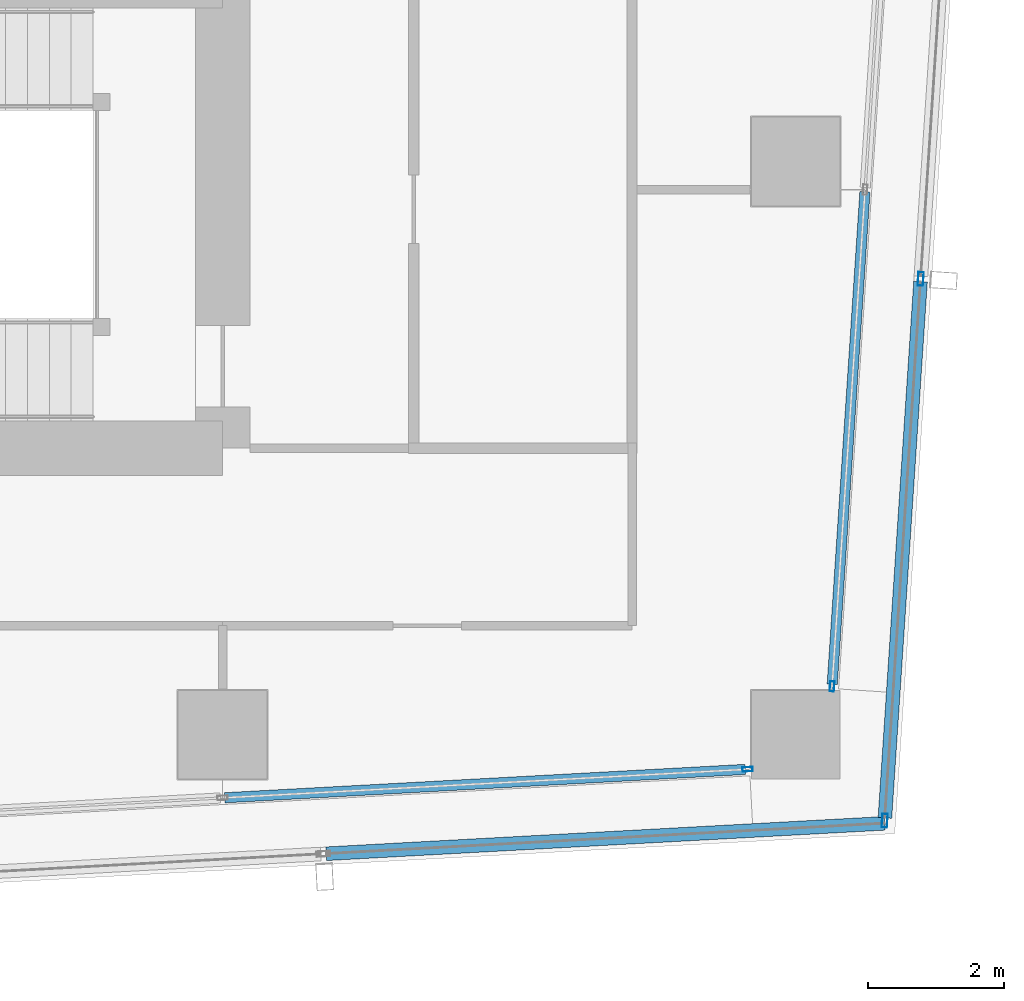
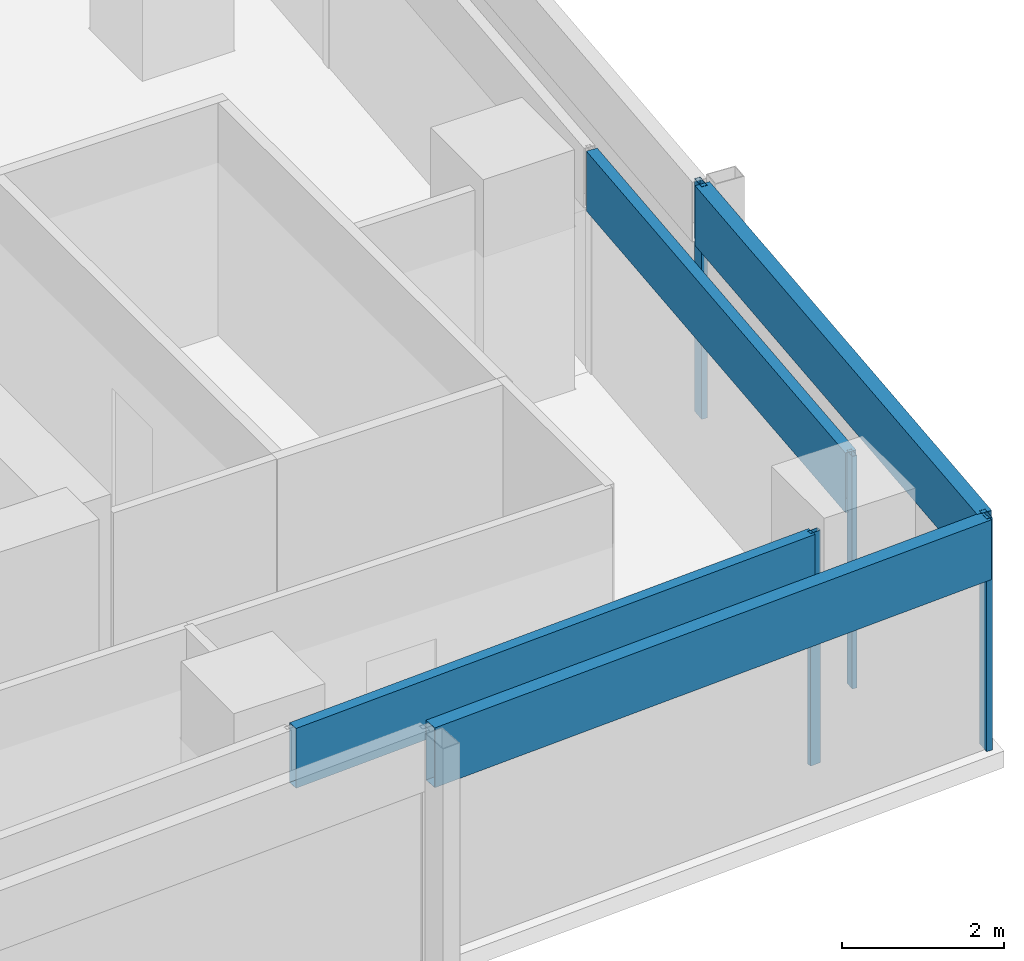
# One storey, part 11 of 29: 8 members, 4 elements without a shape of their own.
"""IFC4 building model written with IfcOpenShell, lengths in metres."""

from ifc_helpers import new_model, si_unit, direction, frame, origin, origin_2d, place, context, subcontext, project, spatial, hollow_rectangle, extrude, material, material_profile, profile_set, type_object, element, aggregate, save


model = new_model("IFC4")

# Units and contexts
model_context = context("Model", 3, precision=1e-05, world=origin(), true_north=direction((0.0, 1.0)))
body_context = subcontext(model_context, "Body", "Model", "MODEL_VIEW")
ifc_project = project(units=[si_unit("LENGTHUNIT", "METRE"), si_unit("AREAUNIT", "SQUARE_METRE"), si_unit("VOLUMEUNIT", "CUBIC_METRE"), si_unit("PLANEANGLEUNIT", "RADIAN"), si_unit("MASSUNIT", "GRAM", prefix="KILO")], contexts=[model_context])

# Site, building, storey
site_placement = place(None, origin())
site = spatial("IfcSite", under=ifc_project, at=site_placement, CompositionType="ELEMENT")
building_placement = place(site_placement, origin())
building = spatial("IfcBuilding", under=site, at=building_placement, Name="Rekha Terrace Tower", CompositionType="ELEMENT")
storey_placement = place(building_placement, frame((0.0, 0.0, 257.60009765625)))
storey = spatial("IfcBuildingStorey", under=building, at=storey_placement, Name="L65", CompositionType="ELEMENT", Elevation=257.60009765625)

# Curtain wall, member
ifc_material_1 = material(Name="Aluminium framing", Category="aluminium")
curtain_wall_type_1 = type_object("IfcCurtainWallType", Name="CW1 double skin inner glazing", PredefinedType="USERDEFINED", material=ifc_material_1)
curtain_wall_1_placement = place(storey_placement, origin())
curtain_wall_1 = element("IfcCurtainWall", 1, at=curtain_wall_1_placement, inside=storey, type_object=curtain_wall_type_1, Name="CW1 double skin inner glazing", ObjectType="DOUBLE SKIN INNER GLAZING", PredefinedType="USERDEFINED")
ifc_material_2 = material(Name="Aluminium mullion section", Category="aluminium")
ifc_material_profile_1 = material_profile(ifc_material_2, hollow_rectangle(XDim=0.06494140625, YDim=0.14990234375, WallThickness=0.00390625, at=origin_2d()), Name="AL RHS 65x150")
ifc_profile_set_1 = profile_set([ifc_material_profile_1], Name="Aluminium mullion section")
member_type_1 = type_object("IfcMemberType", Name="CW1 mullion RHS 65 x 150", PredefinedType="MULLION", material=ifc_profile_set_1)
member_1_placement = place(storey_placement, frame((58.092529296875, 16.2939453125, 0.0), z_axis=(0.0, 0.0, 1.0), x_axis=(-0.054388903036, 0.998519828159, 0.0)))
member_1 = element("IfcMember", 2, at=member_1_placement, type_object=member_type_1, Name="CW1 mullion 5", PredefinedType="MULLION", context=body_context, shape_type="SweptSolid", body=[
    extrude(hollow_rectangle(XDim=0.06494140625, YDim=0.14990234375, WallThickness=0.00390625, at=origin_2d()), origin(), (0.0, 0.0, 1.0), 3.5),
])

curtain_wall_2_placement = place(storey_placement, origin())
curtain_wall_2 = element("IfcCurtainWall", 3, at=curtain_wall_2_placement, inside=storey, type_object=curtain_wall_type_1, Name="CW1 double skin inner glazing", ObjectType="DOUBLE SKIN INNER GLAZING", PredefinedType="USERDEFINED")
member_2_placement = place(storey_placement, frame((59.3310546875, 17.5087890625, 0.0), z_axis=(0.0, 0.0, 1.0), x_axis=(-0.997801621769, 0.066271589649, 0.0)))
member_2 = element("IfcMember", 4, at=member_2_placement, type_object=member_type_1, Name="CW1 mullion 1", PredefinedType="MULLION", context=body_context, shape_type="SweptSolid", body=[
    extrude(hollow_rectangle(XDim=0.06494140625, YDim=0.14990234375, WallThickness=0.00390625, at=origin_2d()), origin(), (0.0, 0.0, 1.0), 3.5),
])

# Member
ifc_material_3 = material(Name="Insulated aluminium spandrel box", Category="aluminium")
ifc_material_profile_2 = material_profile(ifc_material_3, hollow_rectangle(XDim=0.14990234375, YDim=0.89990234375, WallThickness=0.0029296875, at=origin_2d()), Name="AL SPANDREL BOX 150x900")
ifc_profile_set_2 = profile_set([ifc_material_profile_2], Name="Insulated aluminium spandrel box")
member_type_2 = type_object("IfcMemberType", Name="CW1 spandrel transom 150 x 900", PredefinedType="USERDEFINED", material=ifc_profile_set_2)
member_3_placement = place(storey_placement, frame((50.431640625, 15.876708984375, 3.0498046875), z_axis=(0.998519749799, 0.054390341617, 0.0), x_axis=(-0.054390341617, 0.998519749799, 0.0)))
member_3 = element("IfcMember", 5, at=member_3_placement, type_object=member_type_2, Name="CW1 spandrel transom 4", ObjectType="TRANSOM", PredefinedType="USERDEFINED", context=body_context, shape_type="SweptSolid", body=[
    extrude(hollow_rectangle(XDim=0.14990234375, YDim=0.89990234375, WallThickness=0.0029296875, at=origin_2d()), origin(), (0.0, 0.0, 1.0), 7.6396484375),
])

aggregate(curtain_wall_1, [member_1, member_3])

member_4_placement = place(storey_placement, frame((59.333251953125, 17.541015625, 3.0498046875), z_axis=(0.066261233081, 0.997802309574, 0.0), x_axis=(-0.997802309574, 0.066261233081, 0.0)))
member_4 = element("IfcMember", 6, at=member_4_placement, type_object=member_type_2, Name="CW1 spandrel transom 1", ObjectType="TRANSOM", PredefinedType="USERDEFINED", context=body_context, shape_type="SweptSolid", body=[
    extrude(hollow_rectangle(XDim=0.14990234375, YDim=0.89990234375, WallThickness=0.0029296875, at=origin_2d()), origin(), (0.0, 0.0, 1.0), 7.22900390625),
])

aggregate(curtain_wall_2, [member_2, member_4])

# Curtain wall, members
curtain_wall_type_2 = type_object("IfcCurtainWallType", Name="CW2 double skin outer glazing", PredefinedType="USERDEFINED", material=ifc_material_1)
curtain_wall_3_placement = place(storey_placement, origin())
curtain_wall_3 = element("IfcCurtainWall", 7, at=curtain_wall_3_placement, inside=storey, type_object=curtain_wall_type_2, Name="CW2 double skin outer glazing", ObjectType="DOUBLE SKIN OUTER GLAZING", PredefinedType="USERDEFINED")
ifc_material_profile_3 = material_profile(ifc_material_2, hollow_rectangle(XDim=0.080078125, YDim=0.199951171875, WallThickness=0.00390625, at=origin_2d()), Name="AL RHS 80x200")
ifc_profile_set_3 = profile_set([ifc_material_profile_3], Name="Aluminium mullion section")
member_type_3 = type_object("IfcMemberType", Name="CW2 mullion RHS 80 x 200", PredefinedType="MULLION", material=ifc_profile_set_3)
member_5_placement = place(storey_placement, frame((60.102294921875, 15.5419921875, 0.0), z_axis=(0.0, 0.0, 1.0), x_axis=(-0.997801621769, 0.066271589649, 0.0)))
member_5 = element("IfcMember", 8, at=member_5_placement, type_object=member_type_3, Name="CW2 mullion 1", PredefinedType="MULLION", context=body_context, shape_type="SweptSolid", body=[
    extrude(hollow_rectangle(XDim=0.080078125, YDim=0.199951171875, WallThickness=0.00390625, at=origin_2d()), origin(), (0.0, 0.0, 1.0), 3.5),
])
member_6_placement = place(storey_placement, frame((60.629638671875, 23.479736328125, 0.0), z_axis=(0.0, 0.0, 1.0), x_axis=(-0.997801621769, 0.066271589649, 0.0)))
member_6 = element("IfcMember", 9, at=member_6_placement, type_object=member_type_3, Name="CW2 mullion 2", PredefinedType="MULLION", context=body_context, shape_type="SweptSolid", body=[
    extrude(hollow_rectangle(XDim=0.080078125, YDim=0.199951171875, WallThickness=0.00390625, at=origin_2d()), origin(), (0.0, 0.0, 1.0), 3.5),
])

# Curtain wall, member
curtain_wall_4_placement = place(storey_placement, origin())
curtain_wall_4 = element("IfcCurtainWall", 10, at=curtain_wall_4_placement, inside=storey, type_object=curtain_wall_type_2, Name="CW2 double skin outer glazing", ObjectType="DOUBLE SKIN OUTER GLAZING", PredefinedType="USERDEFINED")
ifc_material_profile_4 = material_profile(ifc_material_3, hollow_rectangle(XDim=0.199951171875, YDim=0.89990234375, WallThickness=0.0029296875, at=origin_2d()), Name="AL SPANDREL BOX 200x900")
ifc_profile_set_4 = profile_set([ifc_material_profile_4], Name="Insulated aluminium spandrel box")
member_type_4 = type_object("IfcMemberType", Name="CW2 spandrel transom 200 x 900", PredefinedType="USERDEFINED", material=ifc_profile_set_4)
member_7_placement = place(storey_placement, frame((51.91650390625, 15.056396484375, 3.0498046875), z_axis=(0.998521064062, 0.054366208476, 0.0), x_axis=(-0.054366208476, 0.998521064062, 0.0)))
member_7 = element("IfcMember", 11, at=member_7_placement, type_object=member_type_4, Name="CW2 spandrel transom 4", ObjectType="TRANSOM", PredefinedType="USERDEFINED", context=body_context, shape_type="SweptSolid", body=[
    extrude(hollow_rectangle(XDim=0.199951171875, YDim=0.89990234375, WallThickness=0.0029296875, at=origin_2d()), origin(), (0.0, 0.0, 1.0), 8.195556640625),
])
aggregate(curtain_wall_4, [member_7])

# Member
member_8_placement = place(storey_placement, frame((60.10498046875, 15.581787109375, 3.0498046875), z_axis=(0.066280327672, 0.997801041372, 0.0), x_axis=(-0.997801041372, 0.066280327672, 0.0)))
member_8 = element("IfcMember", 12, at=member_8_placement, type_object=member_type_4, Name="CW2 spandrel transom 1", ObjectType="TRANSOM", PredefinedType="USERDEFINED", context=body_context, shape_type="SweptSolid", body=[
    extrude(hollow_rectangle(XDim=0.199951171875, YDim=0.89990234375, WallThickness=0.0029296875, at=origin_2d()), origin(), (0.0, 0.0, 1.0), 7.875244140625),
])

aggregate(curtain_wall_3, [member_5, member_6, member_8])

save(model, "model.ifc")
